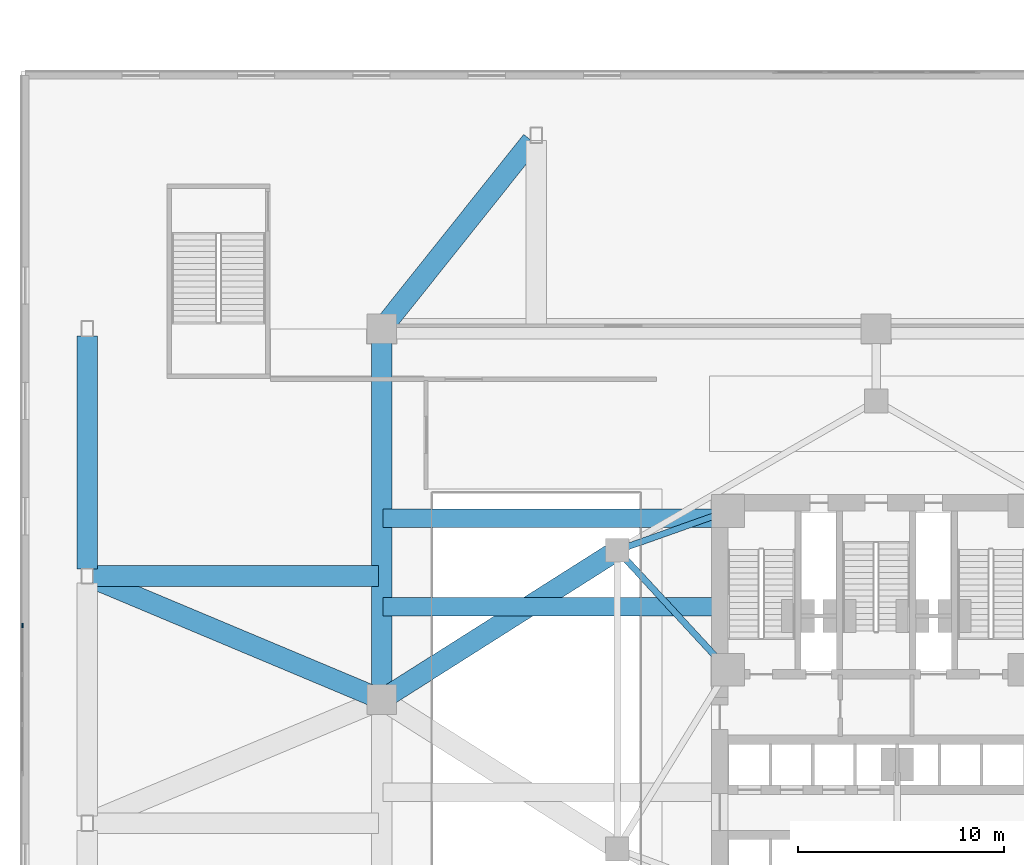
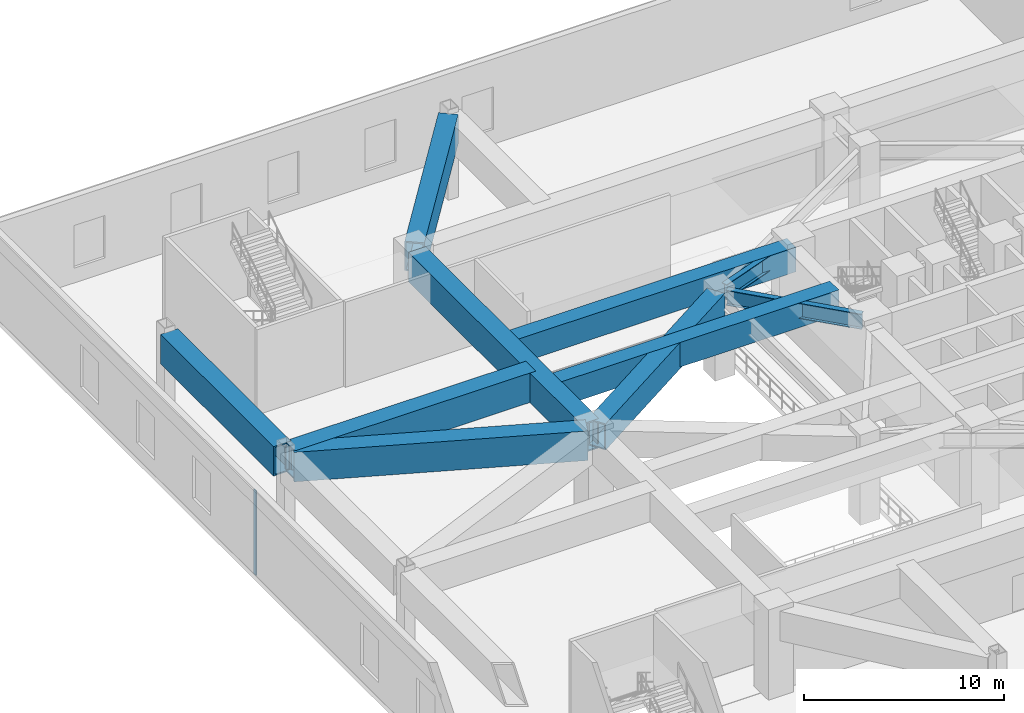
# One storey, part 5 of 23: 10 beams, 1 member, 1 element without a shape of its own.
"""IFC4 building model written with IfcOpenShell, lengths in metres."""

from ifc_helpers import new_model, si_unit, direction, frame, origin, origin_2d, place, context, subcontext, project, spatial, rectangle, hollow_rectangle, i_section, extrude, material, layer, layer_set, material_profile, profile_set, type_object, element, aggregate, save


model = new_model("IFC4")

# Units and contexts
model_context = context("Model", 3, precision=1e-05, world=origin(), true_north=direction((0.0, 1.0)))
body_context = subcontext(model_context, "Body", "Model", "MODEL_VIEW")
ifc_project = project(units=[si_unit("LENGTHUNIT", "METRE"), si_unit("AREAUNIT", "SQUARE_METRE"), si_unit("VOLUMEUNIT", "CUBIC_METRE"), si_unit("PLANEANGLEUNIT", "RADIAN"), si_unit("MASSUNIT", "GRAM", prefix="KILO")], contexts=[model_context])

# Site, building, storey
site_placement = place(None, origin())
site = spatial("IfcSite", under=ifc_project, at=site_placement, CompositionType="ELEMENT")
building_placement = place(site_placement, origin())
building = spatial("IfcBuilding", under=site, at=building_placement, Name="Apsidion Concourse Tower", CompositionType="ELEMENT")
storey_placement = place(building_placement, frame((0.0, 0.0, 6.0)))
storey = spatial("IfcBuildingStorey", under=building, at=storey_placement, Name="L01", CompositionType="ELEMENT", Elevation=6.0)

# Beams
ifc_material_1 = material(Name="Structural steel ASTM A992 Grade 50", Category="steel")
ifc_material_profile_1 = material_profile(ifc_material_1, i_section(OverallWidth=0.31005859375, OverallDepth=0.931884765625, WebThickness=0.02099609375, FlangeThickness=0.034423828125, at=origin_2d()), Name="W36X210")
ifc_profile_set_1 = profile_set([ifc_material_profile_1], Name="Structural steel ASTM A992 Grade 50")
beam_type_1 = type_object("IfcBeamType", Name="BM-G-W36", PredefinedType="USERDEFINED", material=ifc_profile_set_1)
beam_1_placement = place(storey_placement, frame((-12.28857421875, 6.956298828125, 4.73388671875), z_axis=(0.678712876106, -0.73440372535, 0.0), x_axis=(0.73440372535, 0.678712876106, 0.0)))
element("IfcBeam", 1, at=beam_1_placement, inside=storey, type_object=beam_type_1, Name="L01 Core Coupling Girder IC5-SC6", ObjectType="GIRDER", PredefinedType="USERDEFINED", context=body_context, shape_type="SweptSolid", body=[
    extrude(i_section(OverallWidth=0.31005859375, OverallDepth=0.931884765625, WebThickness=0.02099609375, FlangeThickness=0.034423828125, at=origin_2d()), origin(), (0.0, 0.0, 1.0), 7.097412109375),
])
beam_2_placement = place(storey_placement, frame((-12.18310546875, 7.383544921875, 4.73388671875), z_axis=(0.942533844539, 0.334110688094, 0.0), x_axis=(-0.334110688094, 0.942533844539, 0.0)))
element("IfcBeam", 2, at=beam_2_placement, inside=storey, type_object=beam_type_1, Name="L01 Core Coupling Girder IC5-SC5", ObjectType="GIRDER", PredefinedType="USERDEFINED", context=body_context, shape_type="SweptSolid", body=[
    extrude(i_section(OverallWidth=0.31005859375, OverallDepth=0.931884765625, WebThickness=0.02099609375, FlangeThickness=0.034423828125, at=origin_2d()), origin(), (0.0, 0.0, 1.0), 4.886962890625),
])
ifc_material_2 = material(Name="Concrete C50/60", Category="concrete")
ifc_material_profile_2 = material_profile(ifc_material_2, rectangle(XDim=0.89990234375, YDim=1.5, at=origin_2d()), Name="RC 900x1500")
ifc_profile_set_2 = profile_set([ifc_material_profile_2], Name="Concrete C50/60")
beam_type_2 = type_object("IfcBeamType", Name="BM-TB-RC15", PredefinedType="T_BEAM", material=ifc_profile_set_2)
for number, where, z_axis, x_axis, name in (
    (3, (-23.949951171875, 4.5, 4.449951171875), (1.0, 0.0, 0.0), (0.0, 1.0, 0.0), "L01 Convention Long-Span Tee Beam W3"),
    (4, (-23.949951171875, 8.800048828125, 4.449951171875), (1.0, 0.0, 0.0), (0.0, 1.0, 0.0), "L01 Convention Long-Span Tee Beam W4"),
):
    element("IfcBeam", number, at=place(storey_placement, frame(where, z_axis=z_axis, x_axis=x_axis)), inside=storey, type_object=beam_type_2, Name=name, PredefinedType="T_BEAM", context=body_context, shape_type="SweptSolid", body=[
        extrude(rectangle(XDim=0.89990234375, YDim=1.5, at=origin_2d()), origin(), (0.0, 0.0, 1.0), 16.449951171875),
    ])
ifc_material_3 = material(Name="Structural steel ASTM A572 Grade 50", Category="steel")
ifc_material_profile_3 = material_profile(ifc_material_3, hollow_rectangle(XDim=1.0, YDim=1.60009765625, WallThickness=0.074951171875, at=origin_2d()), Name="BOX1600X1000X75")
ifc_profile_set_3 = profile_set([ifc_material_profile_3], Name="Structural steel ASTM A572 Grade 50")
beam_type_3 = type_object("IfcBeamType", Name="BM-TR-1600", PredefinedType="USERDEFINED", material=ifc_profile_set_3)
beam_3_placement = place(storey_placement, frame((-23.704345703125, 0.1875, 4.39990234375), z_axis=(0.844671254714, 0.535285411215, 0.0), x_axis=(-0.535285411215, 0.844671254714, 0.0)))
element("IfcBeam", 5, at=beam_3_placement, inside=storey, type_object=beam_type_3, Name="L01 Podium Girder MC3-IC5", ObjectType="GIRDER", PredefinedType="USERDEFINED", context=body_context, shape_type="SweptSolid", body=[
    extrude(hollow_rectangle(XDim=1.0, YDim=1.60009765625, WallThickness=0.074951171875, at=origin_2d()), origin(), (0.0, 0.0, 1.0), 12.843505859375),
])
ifc_material_profile_4 = material_profile(ifc_material_3, hollow_rectangle(XDim=1.0, YDim=1.800048828125, WallThickness=0.080078125, at=origin_2d()), Name="BOX1800X1000X80")
ifc_profile_set_4 = profile_set([ifc_material_profile_4], Name="Structural steel ASTM A572 Grade 50")
beam_type_4 = type_object("IfcBeamType", Name="BM-TR-1800", PredefinedType="USERDEFINED", material=ifc_profile_set_4)
beam_4_placement = place(storey_placement, frame((-24.0, 0.35009765625, 4.300048828125), z_axis=(0.0, 1.0, 0.0), x_axis=(-1.0, 0.0, 0.0)))
element("IfcBeam", 6, at=beam_4_placement, inside=storey, type_object=beam_type_4, Name="L01 Podium Transfer Collector Girder MC3-MC5", ObjectType="GIRDER", PredefinedType="USERDEFINED", context=body_context, shape_type="SweptSolid", body=[
    extrude(hollow_rectangle(XDim=1.0, YDim=1.800048828125, WallThickness=0.080078125, at=origin_2d()), origin(), (0.0, 0.0, 1.0), 17.2998046875),
])
beam_5_placement = place(storey_placement, frame((-38.050048828125, 6.0, 4.300048828125), z_axis=(1.0, 0.0, 0.0), x_axis=(0.0, 1.0, 0.0)))
element("IfcBeam", 7, at=beam_5_placement, inside=storey, type_object=beam_type_4, Name="L01 Podium Radial Frame Girder PC03", ObjectType="GIRDER", PredefinedType="USERDEFINED", context=body_context, shape_type="SweptSolid", body=[
    extrude(hollow_rectangle(XDim=1.0, YDim=1.800048828125, WallThickness=0.080078125, at=origin_2d()), origin(), (0.0, 0.0, 1.0), 13.900146484375),
])
beam_6_placement = place(storey_placement, frame((-37.977294921875, 5.864501953125, 4.300048828125), z_axis=(0.92212437548, -0.386893572118, 0.0), x_axis=(0.386893572118, 0.92212437548, 0.0)))
element("IfcBeam", 8, at=beam_6_placement, inside=storey, type_object=beam_type_4, Name="L01 Podium Diagonal Frame Tie PC03", ObjectType="GIRDER", PredefinedType="USERDEFINED", context=body_context, shape_type="SweptSolid", body=[
    extrude(hollow_rectangle(XDim=1.0, YDim=1.800048828125, WallThickness=0.080078125, at=origin_2d()), origin(), (0.0, 0.0, 1.0), 14.8076171875),
])
beam_7_placement = place(storey_placement, frame((-16.71826171875, 27.12646484375, 4.300048828125), z_axis=(-0.623685030382, -0.781675753031, 0.0), x_axis=(0.781675753031, -0.623685030382, 0.0)))
element("IfcBeam", 9, at=beam_7_placement, inside=storey, type_object=beam_type_4, Name="L01 Podium Diagonal Frame Tie PC11", ObjectType="GIRDER", PredefinedType="USERDEFINED", context=body_context, shape_type="SweptSolid", body=[
    extrude(hollow_rectangle(XDim=1.0, YDim=1.800048828125, WallThickness=0.080078125, at=origin_2d()), origin(), (0.0, 0.0, 1.0), 11.325439453125),
])
beam_8_placement = place(storey_placement, frame((-38.300048828125, 6.35009765625, 4.300048828125), z_axis=(0.0, 1.0, 0.0), x_axis=(-1.0, 0.0, 0.0)))
element("IfcBeam", 10, at=beam_8_placement, inside=storey, type_object=beam_type_4, Name="L01 Podium Spandrel Girder PC03-PC04", ObjectType="GIRDER", PredefinedType="USERDEFINED", context=body_context, shape_type="SweptSolid", body=[
    extrude(hollow_rectangle(XDim=1.0, YDim=1.800048828125, WallThickness=0.080078125, at=origin_2d()), origin(), (0.0, 0.0, 1.0), 11.2998046875),
])

# Curtain wall, member
ifc_material_4 = material(Name="Insulated laminated low-E glass", Category="glass")
ifc_layer = layer(ifc_material_4, 0.18994140625)
ifc_layer_set = layer_set([ifc_layer], Name="Insulated laminated low-E glass")
curtain_wall_type = type_object("IfcCurtainWallType", Name="CW-SYS-01", PredefinedType="NOTDEFINED", material=ifc_layer_set)
curtain_wall_placement = place(storey_placement, origin())
curtain_wall = element("IfcCurtainWall", 11, at=curtain_wall_placement, inside=storey, type_object=curtain_wall_type, Name="L01 Podium Glazed Curtain Wall W", PredefinedType="NOTDEFINED")
ifc_material_5 = material(Name="Anodised aluminium EN AW-6063 T6", Category="aluminium")
ifc_material_profile_5 = material_profile(ifc_material_5, rectangle(XDim=0.074951171875, YDim=0.219970703125, at=origin_2d()), Name="ALU MULLION 75x220")
ifc_profile_set_5 = profile_set([ifc_material_profile_5], Name="Anodised aluminium EN AW-6063 T6")
member_type = type_object("IfcMemberType", Name="CWM-75X220", PredefinedType="MULLION", material=ifc_profile_set_5)
member_placement = place(storey_placement, frame((-41.43994140625, 3.598388671875, 0.0), z_axis=(0.0, 0.0, 1.0), x_axis=(-1.0, 0.0, 0.0)))
member = element("IfcMember", 12, at=member_placement, type_object=member_type, Name="CW-01 mullion 4", PredefinedType="MULLION", context=body_context, shape_type="SweptSolid", body=[
    extrude(rectangle(XDim=0.074951171875, YDim=0.219970703125, at=origin_2d()), origin(), (0.0, 0.0, 1.0), 5.14990234375),
])
aggregate(curtain_wall, [member])

save(model, "model.ifc")
